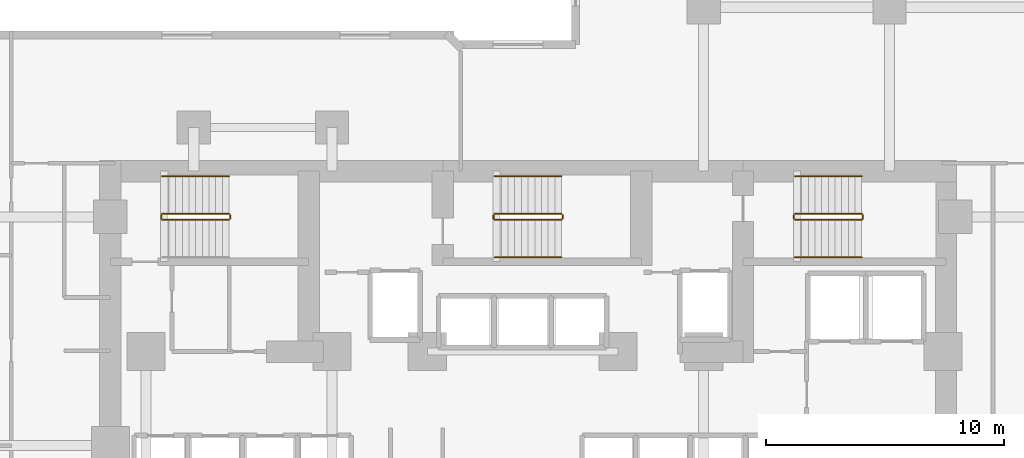
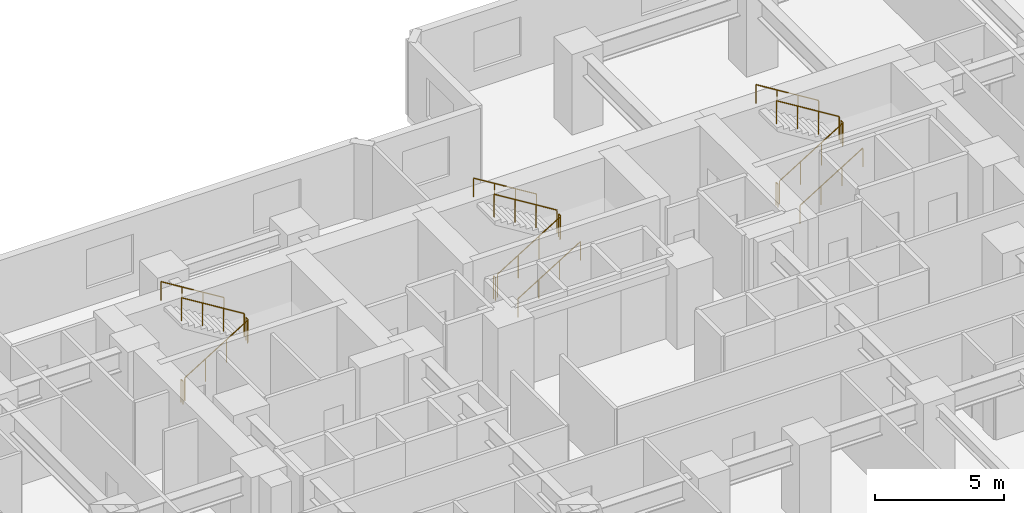
# One storey, part 12 of 12: 17 railings.
"""IFC4 building model written with IfcOpenShell, lengths in metres."""

from ifc_helpers import new_model, si_unit, direction, frame, origin, origin_2d, place, context, subcontext, project, spatial, circle, extrude, material, type_object, element, save


model = new_model("IFC4")

# Units and contexts
model_context = context("Model", 3, precision=1e-05, world=origin(), true_north=direction((0.0, 1.0)))
body_context = subcontext(model_context, "Body", "Model", "MODEL_VIEW")
ifc_project = project(units=[si_unit("LENGTHUNIT", "METRE"), si_unit("AREAUNIT", "SQUARE_METRE"), si_unit("VOLUMEUNIT", "CUBIC_METRE"), si_unit("PLANEANGLEUNIT", "RADIAN"), si_unit("MASSUNIT", "GRAM", prefix="KILO")], contexts=[model_context])

# Site, building, storey
site_placement = place(None, origin())
site = spatial("IfcSite", under=ifc_project, at=site_placement, CompositionType="ELEMENT")
building_placement = place(site_placement, origin())
building = spatial("IfcBuilding", under=site, at=building_placement, Name="Kestravale Grand Hotel", CompositionType="ELEMENT")
storey_placement = place(building_placement, frame((0.0, 0.0, 64.0)))
storey = spatial("IfcBuildingStorey", under=building, at=storey_placement, Name="L15", CompositionType="ELEMENT", Elevation=64.0)

# Railings
ifc_material_1 = material(Name="Painted tubular steel stair well guard", Category="steel")
railing_type_1 = type_object("IfcRailingType", Name="RL-ST-GRD1100", PredefinedType="GUARDRAIL", material=ifc_material_1)
railing_1_placement = place(storey_placement, frame((24.080078125, 38.280029296875, 0.172607421875)))
element("IfcRailing", 1, at=railing_1_placement, inside=storey, type_object=railing_type_1, Name="L15 ST-1 stair guard 1", PredefinedType="GUARDRAIL", context=body_context, shape_type="SweptSolid", body=[
    extrude(circle(Radius=0.02392578125, at=origin_2d()), frame((0.0, 0.0, 1.076171875), z_axis=(0.851069175582, 0.0, 0.525053576669), x_axis=(0.0, 1.0, 0.0)), (0.0, 0.0, 1.0), 3.289794921875),
    extrude(circle(Radius=0.02099609375, at=origin_2d()), origin(), (0.0, 0.0, 1.0), 1.052001953125),
    extrude(circle(Radius=0.02099609375, at=origin_2d()), frame((0.933349609375, 0.0, 0.57568359375)), (0.0, 0.0, 1.0), 1.052001953125),
    extrude(circle(Radius=0.02099609375, at=origin_2d()), frame((1.866455078125, 0.0, 1.151611328125)), (0.0, 0.0, 1.0), 1.052001953125),
    extrude(circle(Radius=0.02099609375, at=origin_2d()), frame((2.7998046875, 0.0, 1.727294921875)), (0.0, 0.0, 1.0), 1.052001953125),
])
railing_2_placement = place(storey_placement, frame((26.929931640625, 38.330078125, 1.89990234375)))
element("IfcRailing", 2, at=railing_2_placement, inside=storey, type_object=railing_type_1, Name="L15 ST-1 stair guard 2", PredefinedType="GUARDRAIL", context=body_context, shape_type="SweptSolid", body=[
    extrude(circle(Radius=0.02392578125, at=origin_2d()), frame((0.0, 0.0, 1.076171875), z_axis=(0.0, 1.0, 0.0), x_axis=(-1.0, 0.0, 0.0)), (0.0, 0.0, 1.0), 0.14990234375),
    extrude(circle(Radius=0.02099609375, at=origin_2d()), origin(), (0.0, 0.0, 1.0), 1.052001953125),
    extrude(circle(Radius=0.02099609375, at=origin_2d()), frame((0.0, 0.14990234375, 0.0)), (0.0, 0.0, 1.0), 1.052001953125),
])
railing_3_placement = place(storey_placement, frame((26.8798828125, 38.530029296875, 2.07275390625)))
element("IfcRailing", 3, at=railing_3_placement, inside=storey, type_object=railing_type_1, Name="L15 ST-1 stair guard 3", PredefinedType="GUARDRAIL", context=body_context, shape_type="SweptSolid", body=[
    extrude(circle(Radius=0.02392578125, at=origin_2d()), frame((0.0, 0.0, 1.076171875), z_axis=(-0.851069175582, 0.0, 0.525053576669), x_axis=(0.0, -1.0, 0.0)), (0.0, 0.0, 1.0), 3.289794921875),
    extrude(circle(Radius=0.02099609375, at=origin_2d()), origin(), (0.0, 0.0, 1.0), 1.052001953125),
    extrude(circle(Radius=0.02099609375, at=origin_2d()), frame((-0.933349609375, 0.0, 0.57568359375)), (0.0, 0.0, 1.0), 1.052001953125),
    extrude(circle(Radius=0.02099609375, at=origin_2d()), frame((-1.866455078125, 0.0, 1.151611328125)), (0.0, 0.0, 1.0), 1.052001953125),
    extrude(circle(Radius=0.02099609375, at=origin_2d()), frame((-2.7998046875, 0.0, 1.727294921875)), (0.0, 0.0, 1.0), 1.052001953125),
])
railing_4_placement = place(storey_placement, frame((24.030029296875, 38.330078125, 0.0)))
element("IfcRailing", 4, at=railing_4_placement, inside=storey, type_object=railing_type_1, Name="L15 ST-1 stair guard 4", PredefinedType="GUARDRAIL", context=body_context, shape_type="SweptSolid", body=[
    extrude(circle(Radius=0.02392578125, at=origin_2d()), frame((0.0, 0.0, 1.076171875), z_axis=(0.0, 1.0, 0.0), x_axis=(-1.0, 0.0, 0.0)), (0.0, 0.0, 1.0), 0.14990234375),
    extrude(circle(Radius=0.02099609375, at=origin_2d()), origin(), (0.0, 0.0, 1.0), 1.052001953125),
    extrude(circle(Radius=0.02099609375, at=origin_2d()), frame((0.0, 0.14990234375, 0.0)), (0.0, 0.0, 1.0), 1.052001953125),
])
railing_5_placement = place(storey_placement, frame((38.030029296875, 38.280029296875, 0.172607421875)))
element("IfcRailing", 5, at=railing_5_placement, inside=storey, type_object=railing_type_1, Name="L15 ST-2 stair guard 1", PredefinedType="GUARDRAIL", context=body_context, shape_type="SweptSolid", body=[
    extrude(circle(Radius=0.02392578125, at=origin_2d()), frame((0.0, 0.0, 1.076171875), z_axis=(0.851089632645, 0.0, 0.525020415988), x_axis=(0.0, 1.0, 0.0)), (0.0, 0.0, 1.0), 3.2900390625),
    extrude(circle(Radius=0.02099609375, at=origin_2d()), origin(), (0.0, 0.0, 1.0), 1.052001953125),
    extrude(circle(Radius=0.02099609375, at=origin_2d()), frame((0.933349609375, 0.0, 0.57568359375)), (0.0, 0.0, 1.0), 1.052001953125),
    extrude(circle(Radius=0.02099609375, at=origin_2d()), frame((1.86669921875, 0.0, 1.151611328125)), (0.0, 0.0, 1.0), 1.052001953125),
    extrude(circle(Radius=0.02099609375, at=origin_2d()), frame((2.800048828125, 0.0, 1.727294921875)), (0.0, 0.0, 1.0), 1.052001953125),
])
railing_6_placement = place(storey_placement, frame((40.8798828125, 38.330078125, 1.89990234375)))
element("IfcRailing", 6, at=railing_6_placement, inside=storey, type_object=railing_type_1, Name="L15 ST-2 stair guard 2", PredefinedType="GUARDRAIL", context=body_context, shape_type="SweptSolid", body=[
    extrude(circle(Radius=0.02392578125, at=origin_2d()), frame((0.0, 0.0, 1.076171875), z_axis=(0.0, 1.0, 0.0), x_axis=(-1.0, 0.0, 0.0)), (0.0, 0.0, 1.0), 0.14990234375),
    extrude(circle(Radius=0.02099609375, at=origin_2d()), origin(), (0.0, 0.0, 1.0), 1.052001953125),
    extrude(circle(Radius=0.02099609375, at=origin_2d()), frame((0.0, 0.14990234375, 0.0)), (0.0, 0.0, 1.0), 1.052001953125),
])
railing_7_placement = place(storey_placement, frame((40.830078125, 38.530029296875, 2.07275390625)))
element("IfcRailing", 7, at=railing_7_placement, inside=storey, type_object=railing_type_1, Name="L15 ST-2 stair guard 3", PredefinedType="GUARDRAIL", context=body_context, shape_type="SweptSolid", body=[
    extrude(circle(Radius=0.02392578125, at=origin_2d()), frame((0.0, 0.0, 1.076171875), z_axis=(-0.851089632645, 0.0, 0.525020415988), x_axis=(0.0, -1.0, 0.0)), (0.0, 0.0, 1.0), 3.2900390625),
    extrude(circle(Radius=0.02099609375, at=origin_2d()), origin(), (0.0, 0.0, 1.0), 1.052001953125),
    extrude(circle(Radius=0.02099609375, at=origin_2d()), frame((-0.933349609375, 0.0, 0.57568359375)), (0.0, 0.0, 1.0), 1.052001953125),
    extrude(circle(Radius=0.02099609375, at=origin_2d()), frame((-1.86669921875, 0.0, 1.151611328125)), (0.0, 0.0, 1.0), 1.052001953125),
    extrude(circle(Radius=0.02099609375, at=origin_2d()), frame((-2.800048828125, 0.0, 1.727294921875)), (0.0, 0.0, 1.0), 1.052001953125),
])
railing_8_placement = place(storey_placement, frame((37.97998046875, 38.330078125, 0.0)))
element("IfcRailing", 8, at=railing_8_placement, inside=storey, type_object=railing_type_1, Name="L15 ST-2 stair guard 4", PredefinedType="GUARDRAIL", context=body_context, shape_type="SweptSolid", body=[
    extrude(circle(Radius=0.02392578125, at=origin_2d()), frame((0.0, 0.0, 1.076171875), z_axis=(0.0, 1.0, 0.0), x_axis=(-1.0, 0.0, 0.0)), (0.0, 0.0, 1.0), 0.14990234375),
    extrude(circle(Radius=0.02099609375, at=origin_2d()), origin(), (0.0, 0.0, 1.0), 1.052001953125),
    extrude(circle(Radius=0.02099609375, at=origin_2d()), frame((0.0, 0.14990234375, 0.0)), (0.0, 0.0, 1.0), 1.052001953125),
])
railing_9_placement = place(storey_placement, frame((50.6298828125, 38.280029296875, 0.172607421875)))
element("IfcRailing", 9, at=railing_9_placement, inside=storey, type_object=railing_type_1, Name="L15 ST-3 stair guard 1", PredefinedType="GUARDRAIL", context=body_context, shape_type="SweptSolid", body=[
    extrude(circle(Radius=0.02392578125, at=origin_2d()), frame((0.0, 0.0, 1.076171875), z_axis=(0.851089632645, 0.0, 0.525020415988), x_axis=(0.0, 1.0, 0.0)), (0.0, 0.0, 1.0), 3.2900390625),
    extrude(circle(Radius=0.02099609375, at=origin_2d()), origin(), (0.0, 0.0, 1.0), 1.052001953125),
    extrude(circle(Radius=0.02099609375, at=origin_2d()), frame((0.933349609375, 0.0, 0.57568359375)), (0.0, 0.0, 1.0), 1.052001953125),
    extrude(circle(Radius=0.02099609375, at=origin_2d()), frame((1.86669921875, 0.0, 1.151611328125)), (0.0, 0.0, 1.0), 1.052001953125),
    extrude(circle(Radius=0.02099609375, at=origin_2d()), frame((2.800048828125, 0.0, 1.727294921875)), (0.0, 0.0, 1.0), 1.052001953125),
])
railing_10_placement = place(storey_placement, frame((53.47998046875, 38.330078125, 1.89990234375)))
element("IfcRailing", 10, at=railing_10_placement, inside=storey, type_object=railing_type_1, Name="L15 ST-3 stair guard 2", PredefinedType="GUARDRAIL", context=body_context, shape_type="SweptSolid", body=[
    extrude(circle(Radius=0.02392578125, at=origin_2d()), frame((0.0, 0.0, 1.076171875), z_axis=(0.0, 1.0, 0.0), x_axis=(-1.0, 0.0, 0.0)), (0.0, 0.0, 1.0), 0.14990234375),
    extrude(circle(Radius=0.02099609375, at=origin_2d()), origin(), (0.0, 0.0, 1.0), 1.052001953125),
    extrude(circle(Radius=0.02099609375, at=origin_2d()), frame((0.0, 0.14990234375, 0.0)), (0.0, 0.0, 1.0), 1.052001953125),
])
railing_11_placement = place(storey_placement, frame((53.429931640625, 38.530029296875, 2.07275390625)))
element("IfcRailing", 11, at=railing_11_placement, inside=storey, type_object=railing_type_1, Name="L15 ST-3 stair guard 3", PredefinedType="GUARDRAIL", context=body_context, shape_type="SweptSolid", body=[
    extrude(circle(Radius=0.02392578125, at=origin_2d()), frame((0.0, 0.0, 1.076171875), z_axis=(-0.851089632645, 0.0, 0.525020415988), x_axis=(0.0, -1.0, 0.0)), (0.0, 0.0, 1.0), 3.2900390625),
    extrude(circle(Radius=0.02099609375, at=origin_2d()), origin(), (0.0, 0.0, 1.0), 1.052001953125),
    extrude(circle(Radius=0.02099609375, at=origin_2d()), frame((-0.933349609375, 0.0, 0.57568359375)), (0.0, 0.0, 1.0), 1.052001953125),
    extrude(circle(Radius=0.02099609375, at=origin_2d()), frame((-1.86669921875, 0.0, 1.151611328125)), (0.0, 0.0, 1.0), 1.052001953125),
    extrude(circle(Radius=0.02099609375, at=origin_2d()), frame((-2.800048828125, 0.0, 1.727294921875)), (0.0, 0.0, 1.0), 1.052001953125),
])
railing_12_placement = place(storey_placement, frame((50.580078125, 38.330078125, 0.0)))
element("IfcRailing", 12, at=railing_12_placement, inside=storey, type_object=railing_type_1, Name="L15 ST-3 stair guard 4", PredefinedType="GUARDRAIL", context=body_context, shape_type="SweptSolid", body=[
    extrude(circle(Radius=0.02392578125, at=origin_2d()), frame((0.0, 0.0, 1.076171875), z_axis=(0.0, 1.0, 0.0), x_axis=(-1.0, 0.0, 0.0)), (0.0, 0.0, 1.0), 0.14990234375),
    extrude(circle(Radius=0.02099609375, at=origin_2d()), origin(), (0.0, 0.0, 1.0), 1.052001953125),
    extrude(circle(Radius=0.02099609375, at=origin_2d()), frame((0.0, 0.14990234375, 0.0)), (0.0, 0.0, 1.0), 1.052001953125),
])
ifc_material_2 = material(Name="Brushed stainless steel wall handrail", Category="steel")
railing_type_2 = type_object("IfcRailingType", Name="RL-ST-HND900", PredefinedType="HANDRAIL", material=ifc_material_2)
railing_13_placement = place(storey_placement, frame((26.8798828125, 40.110107421875, 2.07275390625)))
element("IfcRailing", 13, at=railing_13_placement, inside=storey, type_object=railing_type_2, Name="L15 ST-1 stair handrail 2", PredefinedType="HANDRAIL", context=body_context, shape_type="SweptSolid", body=[
    extrude(circle(Radius=0.02392578125, at=origin_2d()), frame((0.0, 0.0, 0.8759765625), z_axis=(-0.851069175582, 0.0, 0.525053576669), x_axis=(0.0, -1.0, 0.0)), (0.0, 0.0, 1.0), 3.289794921875),
    extrude(circle(Radius=0.02099609375, at=origin_2d()), origin(), (0.0, 0.0, 1.0), 0.851806640625),
    extrude(circle(Radius=0.02099609375, at=origin_2d()), frame((-0.933349609375, 0.0, 0.57568359375)), (0.0, 0.0, 1.0), 0.851806640625),
    extrude(circle(Radius=0.02099609375, at=origin_2d()), frame((-1.866455078125, 0.0, 1.151611328125)), (0.0, 0.0, 1.0), 0.851806640625),
    extrude(circle(Radius=0.02099609375, at=origin_2d()), frame((-2.7998046875, 0.0, 1.727294921875)), (0.0, 0.0, 1.0), 0.851806640625),
])
railing_14_placement = place(storey_placement, frame((38.030029296875, 36.699951171875, 0.172607421875)))
element("IfcRailing", 14, at=railing_14_placement, inside=storey, type_object=railing_type_2, Name="L15 ST-2 stair handrail 1", PredefinedType="HANDRAIL", context=body_context, shape_type="SweptSolid", body=[
    extrude(circle(Radius=0.02392578125, at=origin_2d()), frame((0.0, 0.0, 0.8759765625), z_axis=(0.851089632645, 0.0, 0.525020415988), x_axis=(0.0, 1.0, 0.0)), (0.0, 0.0, 1.0), 3.2900390625),
    extrude(circle(Radius=0.02099609375, at=origin_2d()), origin(), (0.0, 0.0, 1.0), 0.851806640625),
    extrude(circle(Radius=0.02099609375, at=origin_2d()), frame((0.933349609375, 0.0, 0.57568359375)), (0.0, 0.0, 1.0), 0.851806640625),
    extrude(circle(Radius=0.02099609375, at=origin_2d()), frame((1.86669921875, 0.0, 1.151611328125)), (0.0, 0.0, 1.0), 0.851806640625),
    extrude(circle(Radius=0.02099609375, at=origin_2d()), frame((2.800048828125, 0.0, 1.727294921875)), (0.0, 0.0, 1.0), 0.851806640625),
])
railing_15_placement = place(storey_placement, frame((40.830078125, 40.110107421875, 2.07275390625)))
element("IfcRailing", 15, at=railing_15_placement, inside=storey, type_object=railing_type_2, Name="L15 ST-2 stair handrail 2", PredefinedType="HANDRAIL", context=body_context, shape_type="SweptSolid", body=[
    extrude(circle(Radius=0.02392578125, at=origin_2d()), frame((0.0, 0.0, 0.8759765625), z_axis=(-0.851089632645, 0.0, 0.525020415988), x_axis=(0.0, -1.0, 0.0)), (0.0, 0.0, 1.0), 3.2900390625),
    extrude(circle(Radius=0.02099609375, at=origin_2d()), origin(), (0.0, 0.0, 1.0), 0.851806640625),
    extrude(circle(Radius=0.02099609375, at=origin_2d()), frame((-0.933349609375, 0.0, 0.57568359375)), (0.0, 0.0, 1.0), 0.851806640625),
    extrude(circle(Radius=0.02099609375, at=origin_2d()), frame((-1.86669921875, 0.0, 1.151611328125)), (0.0, 0.0, 1.0), 0.851806640625),
    extrude(circle(Radius=0.02099609375, at=origin_2d()), frame((-2.800048828125, 0.0, 1.727294921875)), (0.0, 0.0, 1.0), 0.851806640625),
])
railing_16_placement = place(storey_placement, frame((50.6298828125, 36.699951171875, 0.172607421875)))
element("IfcRailing", 16, at=railing_16_placement, inside=storey, type_object=railing_type_2, Name="L15 ST-3 stair handrail 1", PredefinedType="HANDRAIL", context=body_context, shape_type="SweptSolid", body=[
    extrude(circle(Radius=0.02392578125, at=origin_2d()), frame((0.0, 0.0, 0.8759765625), z_axis=(0.851089632645, 0.0, 0.525020415988), x_axis=(0.0, 1.0, 0.0)), (0.0, 0.0, 1.0), 3.2900390625),
    extrude(circle(Radius=0.02099609375, at=origin_2d()), origin(), (0.0, 0.0, 1.0), 0.851806640625),
    extrude(circle(Radius=0.02099609375, at=origin_2d()), frame((0.933349609375, 0.0, 0.57568359375)), (0.0, 0.0, 1.0), 0.851806640625),
    extrude(circle(Radius=0.02099609375, at=origin_2d()), frame((1.86669921875, 0.0, 1.151611328125)), (0.0, 0.0, 1.0), 0.851806640625),
    extrude(circle(Radius=0.02099609375, at=origin_2d()), frame((2.800048828125, 0.0, 1.727294921875)), (0.0, 0.0, 1.0), 0.851806640625),
])
railing_17_placement = place(storey_placement, frame((53.429931640625, 40.110107421875, 2.07275390625)))
element("IfcRailing", 17, at=railing_17_placement, inside=storey, type_object=railing_type_2, Name="L15 ST-3 stair handrail 2", PredefinedType="HANDRAIL", context=body_context, shape_type="SweptSolid", body=[
    extrude(circle(Radius=0.02392578125, at=origin_2d()), frame((0.0, 0.0, 0.8759765625), z_axis=(-0.851089632645, 0.0, 0.525020415988), x_axis=(0.0, -1.0, 0.0)), (0.0, 0.0, 1.0), 3.2900390625),
    extrude(circle(Radius=0.02099609375, at=origin_2d()), origin(), (0.0, 0.0, 1.0), 0.851806640625),
    extrude(circle(Radius=0.02099609375, at=origin_2d()), frame((-0.933349609375, 0.0, 0.57568359375)), (0.0, 0.0, 1.0), 0.851806640625),
    extrude(circle(Radius=0.02099609375, at=origin_2d()), frame((-1.86669921875, 0.0, 1.151611328125)), (0.0, 0.0, 1.0), 0.851806640625),
    extrude(circle(Radius=0.02099609375, at=origin_2d()), frame((-2.800048828125, 0.0, 1.727294921875)), (0.0, 0.0, 1.0), 0.851806640625),
])

save(model, "model.ifc")
